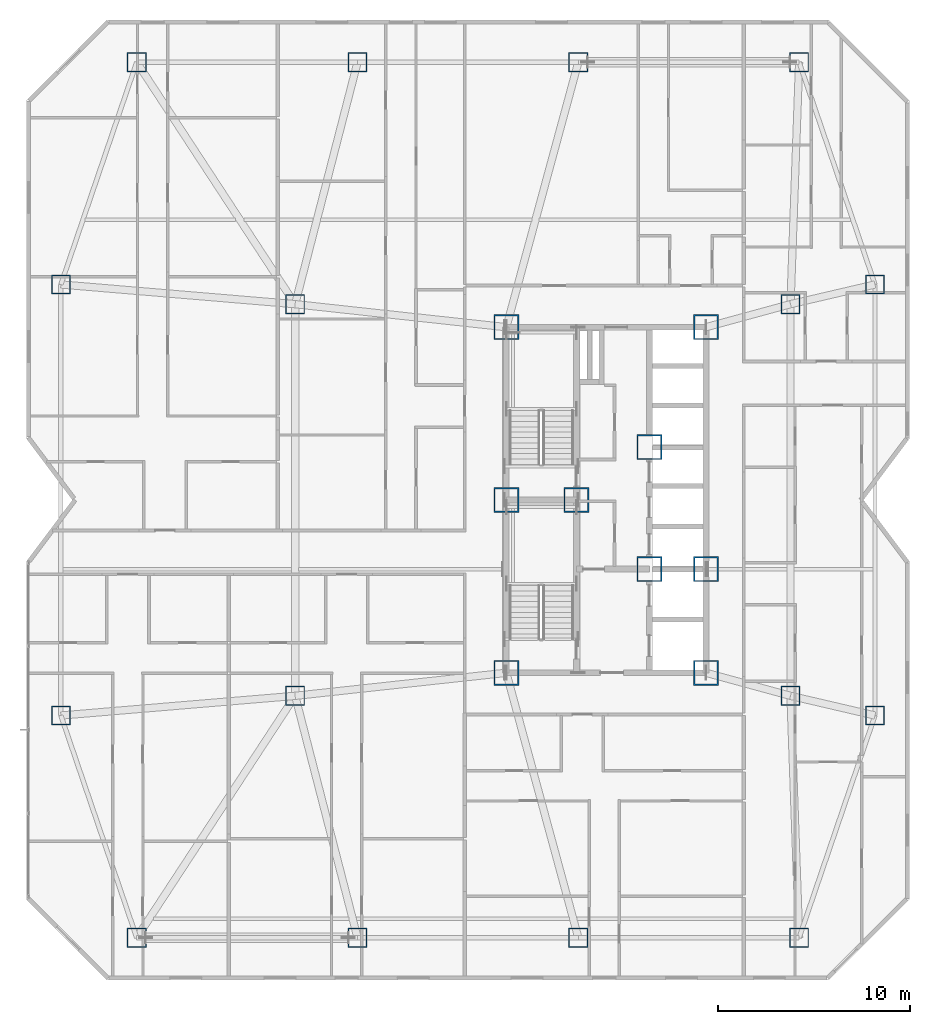
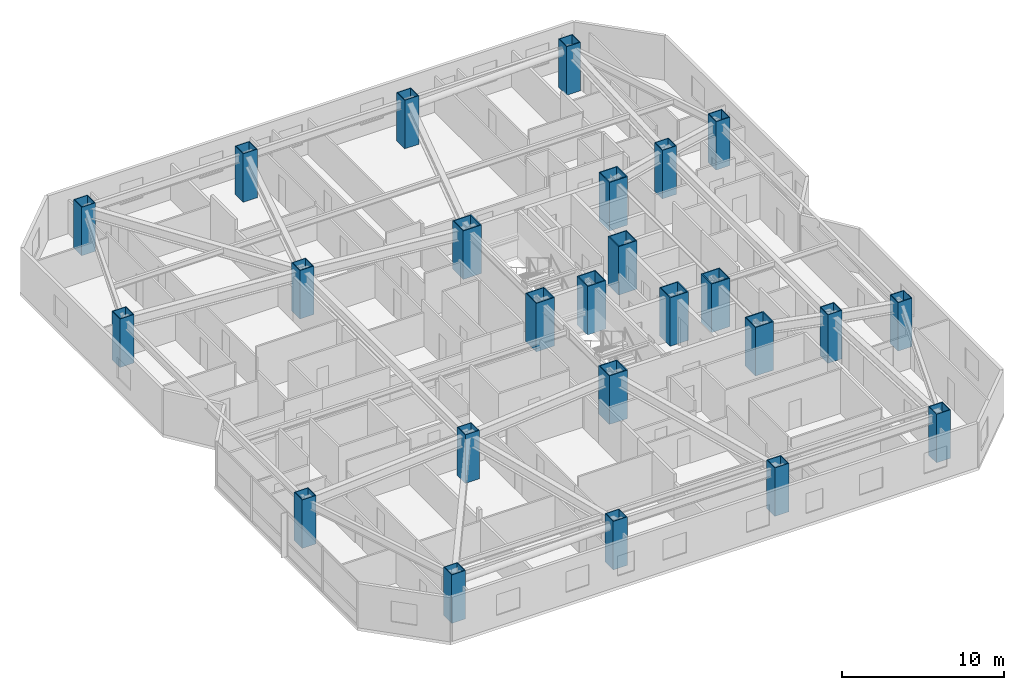
# One storey, part 1 of 18: 25 columns.
"""IFC4 building model written with IfcOpenShell, lengths in metres."""

from ifc_helpers import new_model, si_unit, direction, frame, origin, origin_2d, place, context, subcontext, project, spatial, hollow_rectangle, extrude, material, material_profile, profile_set, type_object, element, save


model = new_model("IFC4")

# Units and contexts
model_context = context("Model", 3, precision=1e-05, world=origin(), true_north=direction((0.0, 1.0)))
body_context = subcontext(model_context, "Body", "Model", "MODEL_VIEW")
ifc_project = project(units=[si_unit("LENGTHUNIT", "METRE"), si_unit("AREAUNIT", "SQUARE_METRE"), si_unit("VOLUMEUNIT", "CUBIC_METRE"), si_unit("PLANEANGLEUNIT", "RADIAN"), si_unit("MASSUNIT", "GRAM", prefix="KILO")], contexts=[model_context])

# Site, building, storey
site_placement = place(None, origin())
site = spatial("IfcSite", under=ifc_project, at=site_placement, CompositionType="ELEMENT")
building_placement = place(site_placement, origin())
building = spatial("IfcBuilding", under=site, at=building_placement, Name="Khamvora Tower", CompositionType="ELEMENT")
storey_placement = place(building_placement, frame((0.0, 0.0, 80.75)))
storey = spatial("IfcBuildingStorey", under=building, at=storey_placement, Name="L20", CompositionType="ELEMENT", Elevation=80.75)

# Columns
ifc_material_1 = material(Name="Steel S355", Category="steel")
ifc_material_profile_1 = material_profile(ifc_material_1, hollow_rectangle(XDim=1.0, YDim=1.0, WallThickness=0.050048828125, at=origin_2d()), Name="BOX1000x1000x50")
ifc_profile_set_1 = profile_set([ifc_material_profile_1], Name="Steel S355")
column_type_1 = type_object("IfcColumnType", Name="COL-BOX1000", PredefinedType="COLUMN", material=ifc_profile_set_1)
for number, where, z_axis, x_axis, name in (
    (1, (9.75, 5.199951171875, 0.0), (0.0, 0.0, 1.0), (1.0, 0.0, 0.0), "L20 structural frame column S1"),
    (2, (21.25, 5.199951171875, 0.0), (0.0, 0.0, 1.0), (1.0, 0.0, 0.0), "L20 structural frame column S2"),
    (3, (32.75, 5.199951171875, 0.0), (0.0, 0.0, 1.0), (1.0, 0.0, 0.0), "L20 structural frame column S3"),
    (4, (44.25, 5.199951171875, 0.0), (0.0, 0.0, 1.0), (1.0, 0.0, 0.0), "L20 structural frame column S4"),
    (5, (9.75, 50.800048828125, 0.0), (0.0, 0.0, 1.0), (1.0, 0.0, 0.0), "L20 structural frame column N1"),
    (6, (21.25, 50.800048828125, 0.0), (0.0, 0.0, 1.0), (1.0, 0.0, 0.0), "L20 structural frame column N2"),
    (7, (32.75, 50.800048828125, 0.0), (0.0, 0.0, 1.0), (1.0, 0.0, 0.0), "L20 structural frame column N3"),
    (8, (44.25, 50.800048828125, 0.0), (0.0, 0.0, 1.0), (1.0, 0.0, 0.0), "L20 structural frame column N4"),
    (9, (5.800048828125, 16.77490234375, 0.0), (0.0, 0.0, 1.0), (1.0, 0.0, 0.0), "L20 structural frame column W1"),
    (10, (5.800048828125, 39.22509765625, 0.0), (0.0, 0.0, 1.0), (1.0, 0.0, 0.0), "L20 structural frame column W2"),
    (11, (48.199951171875, 16.77490234375, 0.0), (0.0, 0.0, 1.0), (1.0, 0.0, 0.0), "L20 structural frame column E1"),
    (12, (48.199951171875, 39.22509765625, 0.0), (0.0, 0.0, 1.0), (1.0, 0.0, 0.0), "L20 structural frame column E2"),
    (13, (18.0, 17.800048828125, 0.0), (0.0, 0.0, 1.0), (1.0, 0.0, 0.0), "L20 structural frame column MW1"),
    (14, (18.0, 38.199951171875, 0.0), (0.0, 0.0, 1.0), (1.0, 0.0, 0.0), "L20 structural frame column MW2"),
    (15, (43.800048828125, 17.800048828125, 0.0), (0.0, 0.0, 1.0), (1.0, 0.0, 0.0), "L20 structural frame column M1"),
    (16, (43.800048828125, 38.199951171875, 0.0), (0.0, 0.0, 1.0), (1.0, 0.0, 0.0), "L20 structural frame column M2"),
):
    element("IfcColumn", number, at=place(storey_placement, frame(where, z_axis=z_axis, x_axis=x_axis)), inside=storey, type_object=column_type_1, Name=name, PredefinedType="COLUMN", context=body_context, shape_type="SweptSolid", body=[
        extrude(hollow_rectangle(XDim=1.0, YDim=1.0, WallThickness=0.050048828125, at=origin_2d()), origin(), (0.0, 0.0, 1.0), 3.64990234375),
    ])
ifc_material_2 = material(Name="Steel S460", Category="steel")
ifc_material_profile_2 = material_profile(ifc_material_2, hollow_rectangle(XDim=1.300048828125, YDim=1.300048828125, WallThickness=0.06494140625, at=origin_2d()), Name="BOX1300x1300x65")
ifc_profile_set_2 = profile_set([ifc_material_profile_2], Name="Steel S460")
column_type_2 = type_object("IfcColumnType", Name="COL-BOX1300", PredefinedType="COLUMN", material=ifc_profile_set_2)
for number, where, z_axis, x_axis, name in (
    (17, (29.0, 19.0, 0.0), (0.0, 0.0, 1.0), (1.0, 0.0, 0.0), "L20 plumb core spine column SC1"),
    (18, (32.64990234375, 28.0, 0.0), (0.0, 0.0, 1.0), (1.0, 0.0, 0.0), "L20 plumb core spine column SC2"),
    (19, (39.39990234375, 19.0, 0.0), (0.0, 0.0, 1.0), (1.0, 0.0, 0.0), "L20 plumb core spine column SC3"),
    (20, (29.0, 28.0, 0.0), (0.0, 0.0, 1.0), (1.0, 0.0, 0.0), "L20 plumb core spine column SC4"),
    (21, (36.449951171875, 24.39990234375, 0.0), (0.0, 0.0, 1.0), (1.0, 0.0, 0.0), "L20 plumb core spine column SC5"),
    (22, (39.39990234375, 24.39990234375, 0.0), (0.0, 0.0, 1.0), (1.0, 0.0, 0.0), "L20 plumb core spine column SC6"),
    (23, (29.0, 37.0, 0.0), (0.0, 0.0, 1.0), (1.0, 0.0, 0.0), "L20 plumb core spine column SC7"),
    (24, (36.449951171875, 30.75, 0.0), (0.0, 0.0, 1.0), (1.0, 0.0, 0.0), "L20 plumb core spine column SC8"),
    (25, (39.39990234375, 37.0, 0.0), (0.0, 0.0, 1.0), (1.0, 0.0, 0.0), "L20 plumb core spine column SC9"),
):
    element("IfcColumn", number, at=place(storey_placement, frame(where, z_axis=z_axis, x_axis=x_axis)), inside=storey, type_object=column_type_2, Name=name, PredefinedType="COLUMN", context=body_context, shape_type="SweptSolid", body=[
        extrude(hollow_rectangle(XDim=1.300048828125, YDim=1.300048828125, WallThickness=0.06494140625, at=origin_2d()), origin(), (0.0, 0.0, 1.0), 3.64990234375),
    ])

save(model, "model.ifc")
